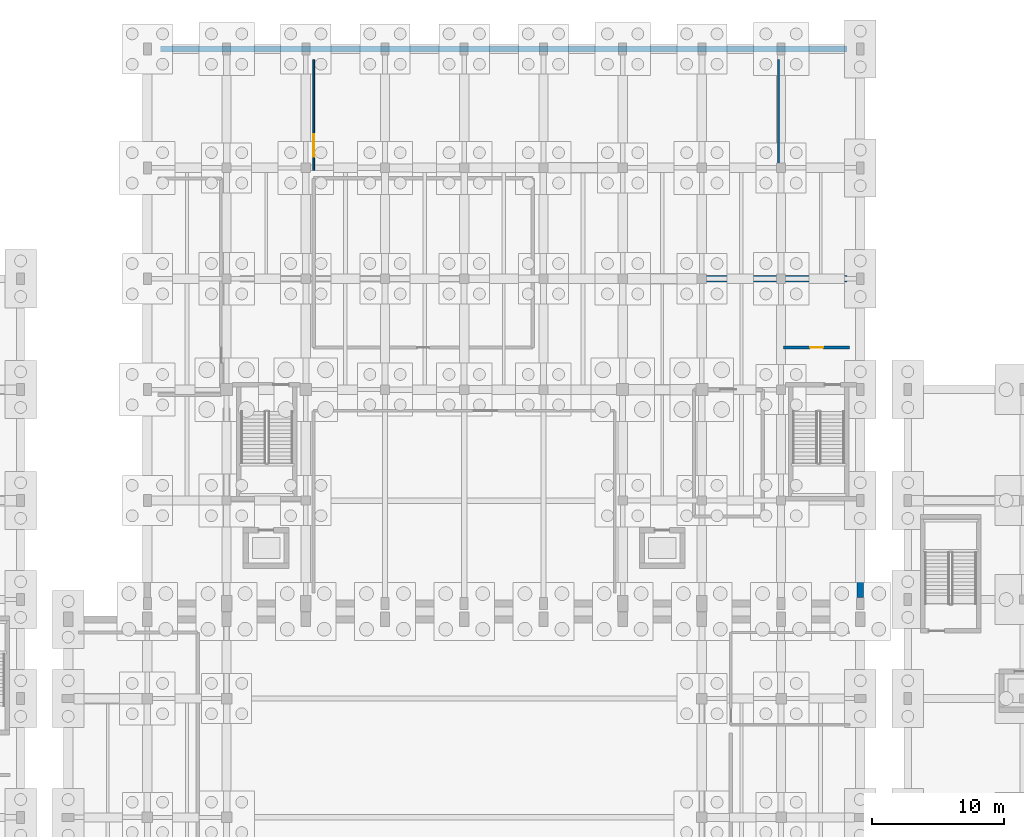
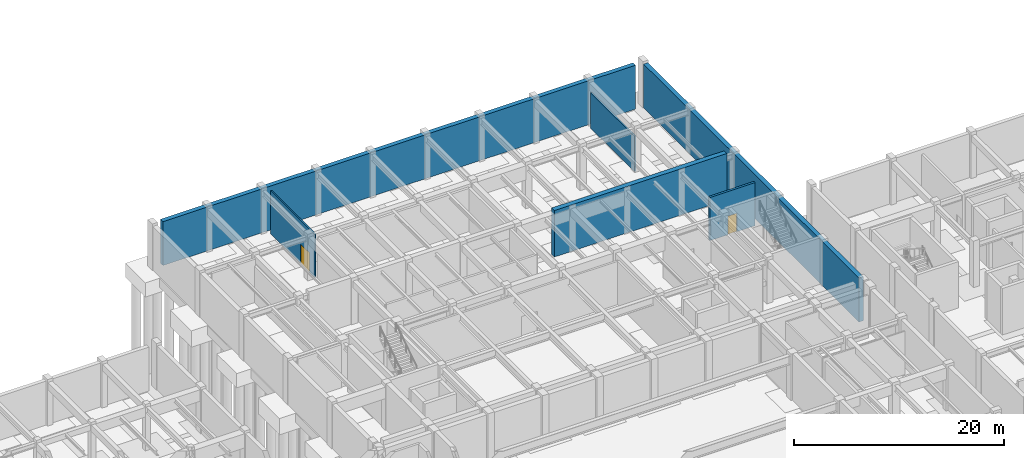
# One storey, part 54 of 69: 6 walls, 2 doors, 2 openings.
"""IFC4 building model written with IfcOpenShell, lengths in metres."""

import ifcopenshell
import ifcopenshell.guid

model = None  # the IFC model being written
_history = None  # IfcOwnerHistory: only IFC2X3 demands one
_inside = {}  # id of a spatial element -> (the spatial element, [elements in it])
_under = {}  # id of a project, library or spatial element -> (it, [spatial elements below it])
_declared = {}  # id of a project -> (the project, [libraries it declares])
_typed = {}  # id of a type object -> (the type object, [elements of that type])
_made_of = {}  # id of a material, layer set ... -> (it, [elements and type objects made of it])


def new_model(schema):
    """Start an empty IFC model of exactly this schema.

    Asked for "IFC4X3", IfcOpenShell would pick the latest addendum, in which some entities
    have other attributes; the version numbers below select the first issue.
    IFC2X3 requires an IfcOwnerHistory on every rooted entity: one is made here for all.
    """
    global model, _history
    if schema == "IFC4X3":
        model = ifcopenshell.file(schema_version=(4, 3, 0, 0))
    else:
        model = ifcopenshell.file(schema=schema)
    _inside.clear()
    _under.clear()
    _declared.clear()
    _typed.clear()
    _made_of.clear()
    _history = None
    if model.schema == "IFC2X3":
        org = make("IfcOrganization", Name="unknown")
        user = make(
            "IfcPersonAndOrganization",
            ThePerson=make("IfcPerson", FamilyName="unknown"),
            TheOrganization=org,
        )
        app = make(
            "IfcApplication",
            ApplicationDeveloper=org,
            Version="unknown",
            ApplicationFullName="unknown",
            ApplicationIdentifier="unknown",
        )
        _history = make(
            "IfcOwnerHistory",
            OwningUser=user,
            OwningApplication=app,
            ChangeAction="ADDED",
            CreationDate=0,
        )
    return model


def make(cls, **values):
    """One entity of the class cls with the attributes given. An attribute that is None is left unset."""
    return model.create_entity(
        cls, **{name: value for name, value in values.items() if value is not None}
    )


def rooted(cls, **values):
    """An entity with a GlobalId (a new one), such as an element, a storey or a relation."""
    return make(cls, GlobalId=ifcopenshell.guid.new(), OwnerHistory=_history, **values)


def si_unit(unit_type, name, prefix=None):
    """IfcSIUnit, for example si_unit("LENGTHUNIT", "METRE", prefix="MILLI")."""
    return make("IfcSIUnit", UnitType=unit_type, Prefix=prefix, Name=name)


def assignment(units):
    """IfcUnitAssignment: the units of a project."""
    return None if units is None else make("IfcUnitAssignment", Units=units)


def point(xyz):
    """IfcCartesianPoint."""
    return None if xyz is None else make("IfcCartesianPoint", Coordinates=xyz)


def direction(xyz):
    """IfcDirection."""
    return None if xyz is None else make("IfcDirection", DirectionRatios=xyz)


def frame(location, z_axis=None, x_axis=None):
    """IfcAxis2Placement3D, a coordinate frame: its origin and axes. An axis left out is left unset."""
    return make(
        "IfcAxis2Placement3D",
        Location=point(location),
        Axis=direction(z_axis),
        RefDirection=direction(x_axis),
    )


def frame_2d(location, x_axis=None):
    """IfcAxis2Placement2D, a coordinate frame in the plane: its origin and x axis."""
    return make(
        "IfcAxis2Placement2D", Location=point(location), RefDirection=direction(x_axis)
    )


def origin():
    """The frame at (0, 0, 0) with its axes left unset."""
    return frame((0.0, 0.0, 0.0))


def place(relative_to, where):
    """IfcLocalPlacement: puts the frame where relative to a parent placement (None: the world)."""
    return make(
        "IfcLocalPlacement", PlacementRelTo=relative_to, RelativePlacement=where
    )


def context(
    kind, dimensions, precision=None, world=None, true_north=None, identifier=None
):
    """IfcGeometricRepresentationContext, for example the 3D "Model" context."""
    return make(
        "IfcGeometricRepresentationContext",
        ContextIdentifier=identifier,
        ContextType=kind,
        CoordinateSpaceDimension=dimensions,
        Precision=precision,
        WorldCoordinateSystem=world,
        TrueNorth=true_north,
    )


def subcontext(parent, identifier, kind, view, scale=None):
    """IfcGeometricRepresentationSubContext, for example "Body" below "Model"."""
    return make(
        "IfcGeometricRepresentationSubContext",
        ContextIdentifier=identifier,
        ContextType=kind,
        ParentContext=parent,
        TargetScale=scale,
        TargetView=view,
    )


def project(units=None, contexts=None):
    """IfcProject with its units and contexts."""
    return rooted(
        "IfcProject",
        Name="project",
        RepresentationContexts=contexts,
        UnitsInContext=assignment(units),
    )


def spatial(cls, under=None, at=None, **own):
    """A site, building, storey or space (cls), placed at a placement, below another one or the project."""
    s = rooted(cls, ObjectPlacement=at, **own)
    if under is not None:
        _under.setdefault(under.id(), (under, []))[1].append(s)
    return s


def profile(cls, at=None, kind="AREA", **sizes):
    """A parametric profile (cls). Its sizes go by their IFC names, for example OverallWidth=200.0."""
    return make(cls, ProfileType=kind, Position=at, **sizes)


def rectangle(**sizes):
    """IfcRectangleProfileDef."""
    return profile("IfcRectangleProfileDef", **sizes)


def extrude(swept, where, along, depth):
    """IfcExtrudedAreaSolid: the profile swept, set in the frame where, extruded along a direction by depth."""
    return make(
        "IfcExtrudedAreaSolid",
        SweptArea=swept,
        Position=where,
        ExtrudedDirection=direction(along),
        Depth=depth,
    )


def shape(context_of_items, identifier, shape_type, items):
    """IfcShapeRepresentation: the items that make up one representation, for example the "Body"."""
    return make(
        "IfcShapeRepresentation",
        ContextOfItems=context_of_items,
        RepresentationIdentifier=identifier,
        RepresentationType=shape_type,
        Items=items,
    )


def material(Name=None, Category=None):
    """IfcMaterial."""
    return make("IfcMaterial", Name=Name, Category=Category)


def layer(
    of_material, thickness, ventilated=None, Name=None, Category=None, Priority=None
):
    """IfcMaterialLayer: one layer of a wall or slab, of a material (None: an air gap)."""
    return make(
        "IfcMaterialLayer",
        Material=of_material,
        LayerThickness=thickness,
        IsVentilated=ventilated,
        Name=Name,
        Category=Category,
        Priority=Priority,
    )


def layer_set(layers, Name=None):
    """IfcMaterialLayerSet."""
    return make("IfcMaterialLayerSet", MaterialLayers=layers, LayerSetName=Name)


def made_of(thing, what):
    """Note that an element or type object is made of a material, layer set ...; save() writes the relation."""
    if what is not None:
        _made_of.setdefault(what.id(), (what, []))[1].append(thing)
    return thing


def type_object(cls, material=None, **own):
    """A type object (cls), such as IfcWallType, which elements share."""
    return made_of(rooted(cls, **own), material)


def element(
    cls,
    number,
    at=None,
    inside=None,
    cuts=None,
    type_object=None,
    material=None,
    context=None,
    identifier="Body",
    shape_type=None,
    held_by="IfcProductDefinitionShape",
    body=None,
    shapes=None,
    **own,
):
    """One element of the class cls, such as IfcWall. Its Tag is "e" and its number.

    at: its placement. inside: the storey or other place that contains it. cuts: it is an
    opening in that element (IfcRelVoidsElement). A single representation is given by context,
    identifier, shape_type and body (its items); several are given by shapes. held_by: the class
    of the entity that holds the representations. save() writes the other relations.
    """
    e = rooted(cls, Tag="e%d" % number, ObjectPlacement=at, **own)
    if body is not None:
        shapes = [shape(context, identifier, shape_type, body)]
    if shapes is not None:
        e.Representation = make(held_by, Representations=shapes)
    if inside is not None:
        _inside.setdefault(inside.id(), (inside, []))[1].append(e)
    if cuts is not None:
        rooted(
            "IfcRelVoidsElement", RelatingBuildingElement=cuts, RelatedOpeningElement=e
        )
    if type_object is not None:
        _typed.setdefault(type_object.id(), (type_object, []))[1].append(e)
    return made_of(e, material)


def fill(opening, filler):
    """IfcRelFillsElement: the door or window that sits in an opening."""
    return rooted(
        "IfcRelFillsElement",
        RelatingOpeningElement=opening,
        RelatedBuildingElement=filler,
    )


def aggregate(whole, parts):
    """IfcRelAggregates: a whole, such as a stair, and the parts it consists of."""
    return rooted("IfcRelAggregates", RelatingObject=whole, RelatedObjects=parts)


def save(model, path):
    """Write the relations noted so far, then the file.

    IfcRelAggregates (storeys below a building ...), IfcRelContainedInSpatialStructure (elements
    in a storey), IfcRelDefinesByType, IfcRelAssociatesMaterial and IfcRelDeclares: one each for
    every whole, place, type object, material and project.
    """
    for whole, parts in _under.values():
        aggregate(whole, parts)
    for where, things in _inside.values():
        rooted(
            "IfcRelContainedInSpatialStructure",
            RelatedElements=things,
            RelatingStructure=where,
        )
    for kind, things in _typed.values():
        rooted("IfcRelDefinesByType", RelatedObjects=things, RelatingType=kind)
    for what, things in _made_of.values():
        rooted("IfcRelAssociatesMaterial", RelatedObjects=things, RelatingMaterial=what)
    for by, libraries in _declared.values():
        rooted("IfcRelDeclares", RelatingContext=by, RelatedDefinitions=libraries)
    model.write(path)


model = new_model("IFC4")

# Units and contexts
model_context = context("Model", 3, precision=1e-05, world=origin(), true_north=direction((0.0, 1.0)))
body_context = subcontext(model_context, "Body", "Model", "MODEL_VIEW")
ifc_project = project(units=[si_unit("LENGTHUNIT", "METRE"), si_unit("AREAUNIT", "SQUARE_METRE"), si_unit("VOLUMEUNIT", "CUBIC_METRE"), si_unit("PLANEANGLEUNIT", "RADIAN"), si_unit("MASSUNIT", "GRAM", prefix="KILO")], contexts=[model_context])

# Site, building, storey
site_placement = place(None, origin())
site = spatial("IfcSite", under=ifc_project, at=site_placement, CompositionType="ELEMENT")
building_placement = place(site_placement, origin())
building = spatial("IfcBuilding", under=site, at=building_placement, Name="Vaelkrest Opera House", CompositionType="ELEMENT")
storey_placement = place(building_placement, frame((0.0, 0.0, -5.39990234375)))
storey = spatial("IfcBuildingStorey", under=building, at=storey_placement, Name="B1", CompositionType="ELEMENT", Elevation=-5.39990234375)

# Wall, opening, door
ifc_material_1 = material(Name="Concrete C40/50", Category="concrete")
ifc_layer_1 = layer(ifc_material_1, 0.239990234375)
ifc_layer_set_1 = layer_set([ifc_layer_1], Name="Concrete C40/50")
wall_type_1 = type_object("IfcWallType", Name="PT09", PredefinedType="PARTITIONING", material=ifc_layer_set_1)
wall_1_placement = place(storey_placement, frame((24.199951171875, 36.800048828125, 0.0), z_axis=(0.0, 0.0, 1.0), x_axis=(1.0, 0.0, 0.0)))
wall_1 = element("IfcWall", 1, at=wall_1_placement, inside=storey, type_object=wall_type_1, Name="Interior partition PT-V2-B1-0169", PredefinedType="PARTITIONING", context=body_context, shape_type="SweptSolid", body=[
    extrude(rectangle(XDim=5.0, YDim=0.239990234375, at=frame_2d((2.5, 0.0))), origin(), (0.0, 0.0, 1.0), 5.02001953125),
])
opening_1_placement = place(wall_1_placement, frame((2.010009765625, 0.0, 0.0)))
opening_1 = element("IfcOpeningElement", 2, at=opening_1_placement, cuts=wall_1, Name="Opening D063", PredefinedType="OPENING", context=body_context, shape_type="SweptSolid", body=[
    extrude(rectangle(XDim=0.97998046875, YDim=2.14990234375, at=frame_2d((0.489990234375, 1.074951171875))), frame((0.0, 0.1298828125, 0.0), z_axis=(0.0, -1.0, 0.0), x_axis=(1.0, 0.0, 0.0)), (0.0, 0.0, 1.0), 0.260009765625),
])
ifc_material_2 = material(Name="American black walnut acoustic timber", Category="wood")
door_type_1 = type_object("IfcDoorType", Name="DT03", OperationType="NOTDEFINED", PredefinedType="DOOR", material=ifc_material_2)
door_1_placement = place(opening_1_placement, origin())
door_1 = element("IfcDoor", 3, at=door_1_placement, inside=storey, type_object=door_type_1, Name="Interior door D063 (Wardrobe Storage Room)", OperationType="SINGLE_SWING_LEFT", OverallHeight=2.14990234375, OverallWidth=0.97998046875, PredefinedType="DOOR", context=body_context, shape_type="SweptSolid", body=[
    extrude(rectangle(XDim=0.97998046875, YDim=2.14990234375, at=frame_2d((0.489990234375, 1.074951171875))), frame((0.0, 0.02490234375, 0.0), z_axis=(0.0, -1.0, 0.0), x_axis=(1.0, 0.0, 0.0)), (0.0, 0.0, 1.0), 0.050048828125),
])
fill(opening_1, door_1)

ifc_material_3 = material(Name="Gypsum acoustic board", Category="gypsum")
ifc_layer_2 = layer(ifc_material_3, 0.14501953125)
ifc_layer_set_2 = layer_set([ifc_layer_2], Name="Gypsum acoustic board")
wall_type_2 = type_object("IfcWallType", Name="PT13", PredefinedType="PARTITIONING", material=ifc_layer_set_2)
wall_2_placement = place(storey_placement, frame((-11.39990234375, 50.199951171875, 0.0), z_axis=(0.0, 0.0, 1.0), x_axis=(0.0, 1.0, 0.0)))
wall_2 = element("IfcWall", 4, at=wall_2_placement, inside=storey, type_object=wall_type_2, Name="Interior partition PT-V2-B1-0167", PredefinedType="PARTITIONING", context=body_context, shape_type="SweptSolid", body=[
    extrude(rectangle(XDim=8.400146484375, YDim=0.14501953125, at=frame_2d((4.2001953125, 0.0))), origin(), (0.0, 0.0, 1.0), 5.02001953125),
])
opening_2_placement = place(wall_2_placement, frame((1.050048828125, 0.0, 0.0)))
opening_2 = element("IfcOpeningElement", 5, at=opening_2_placement, cuts=wall_2, Name="Opening D062", PredefinedType="OPENING", context=body_context, shape_type="SweptSolid", body=[
    extrude(rectangle(XDim=1.699951171875, YDim=2.25, at=frame_2d((0.85009765625, 1.125))), frame((0.0, 0.08251953125, 0.0), z_axis=(0.0, -1.0, 0.0), x_axis=(1.0, 0.0, 0.0)), (0.0, 0.0, 1.0), 0.1650390625),
])
door_type_2 = type_object("IfcDoorType", Name="DT14", OperationType="DOUBLE_DOOR_SINGLE_SWING", PredefinedType="DOOR", material=ifc_material_2)
door_2_placement = place(opening_2_placement, origin())
door_2 = element("IfcDoor", 6, at=door_2_placement, inside=storey, type_object=door_type_2, Name="Interior door D062 (Costume Workshop)", OperationType="DOUBLE_DOOR_SINGLE_SWING", OverallHeight=2.25, OverallWidth=1.699951171875, PredefinedType="DOOR", context=body_context, shape_type="SweptSolid", body=[
    extrude(rectangle(XDim=1.699951171875, YDim=2.25, at=frame_2d((0.85009765625, 1.125))), frame((0.0, 0.02490234375, 0.0), z_axis=(0.0, -1.0, 0.0), x_axis=(1.0, 0.0, 0.0)), (0.0, 0.0, 1.0), 0.050048828125),
])
fill(opening_2, door_2)

# Walls
ifc_layer_3 = layer(ifc_material_2, 0.175048828125)
ifc_layer_set_3 = layer_set([ifc_layer_3], Name="American black walnut acoustic timber")
wall_type_3 = type_object("IfcWallType", Name="PT14", PredefinedType="PARTITIONING", material=ifc_layer_set_3)
wall_3_placement = place(storey_placement, frame((23.800048828125, 50.199951171875, 0.0), z_axis=(0.0, 0.0, 1.0), x_axis=(0.0, 1.0, 0.0)))
element("IfcWall", 7, at=wall_3_placement, inside=storey, type_object=wall_type_3, Name="Interior partition PT-V2-B1-0168", PredefinedType="PARTITIONING", context=body_context, shape_type="SweptSolid", body=[
    extrude(rectangle(XDim=8.400146484375, YDim=0.175048828125, at=frame_2d((4.2001953125, 0.0))), origin(), (0.0, 0.0, 1.0), 4.119873046875),
])
ifc_layer_4 = layer(ifc_material_1, 0.47998046875)
ifc_layer_set_4 = layer_set([ifc_layer_4], Name="Concrete C40/50")
wall_type_4 = type_object("IfcWallType", Name="RW02", PredefinedType="USERDEFINED", material=ifc_layer_set_4)
wall_4_placement = place(storey_placement, frame((30.0, 17.85009765625, 0.0), z_axis=(0.0, 0.0, 1.0), x_axis=(0.0, 1.0, 0.0)))
element("IfcWall", 8, at=wall_4_placement, inside=storey, type_object=wall_type_4, Name="Retaining wall RW-V2-E", ObjectType="RETAINING WALL", PredefinedType="USERDEFINED", context=body_context, shape_type="SweptSolid", body=[
    extrude(rectangle(XDim=41.099853515625, YDim=0.47998046875, at=frame_2d((20.5498046875, 0.0))), origin(), (0.0, 0.0, 1.0), 5.10986328125),
])
wall_5_placement = place(storey_placement, frame((-23.0, 59.39990234375, 0.0), z_axis=(0.0, 0.0, 1.0), x_axis=(1.0, 0.0, 0.0)))
element("IfcWall", 9, at=wall_5_placement, inside=storey, type_object=wall_type_4, Name="Retaining wall RW-V2-N", ObjectType="RETAINING WALL", PredefinedType="USERDEFINED", context=body_context, shape_type="SweptSolid", body=[
    extrude(rectangle(XDim=52.0, YDim=0.47998046875, at=frame_2d((26.0, 0.0))), origin(), (0.0, 0.0, 1.0), 5.10986328125),
])
ifc_material_4 = material(Name="Concrete C50/60", Category="concrete")
ifc_layer_5 = layer(ifc_material_4, 0.52001953125)
ifc_layer_set_5 = layer_set([ifc_layer_5], Name="Concrete C50/60")
wall_type_5 = type_object("IfcWallType", Name="SW04", PredefinedType="SHEAR", material=ifc_layer_set_5)
wall_6_placement = place(storey_placement, frame((10.0, 42.0, 0.0), z_axis=(0.0, 0.0, 1.0), x_axis=(1.0, 0.0, 0.0)))
element("IfcWall", 10, at=wall_6_placement, inside=storey, type_object=wall_type_5, Name="Fly tower north shear wall B1 E", PredefinedType="SHEAR", context=body_context, shape_type="SweptSolid", body=[
    extrude(rectangle(XDim=19.0, YDim=0.52001953125, at=frame_2d((9.5, 0.0))), origin(), (0.0, 0.0, 1.0), 5.39990234375),
])

save(model, "model.ifc")
